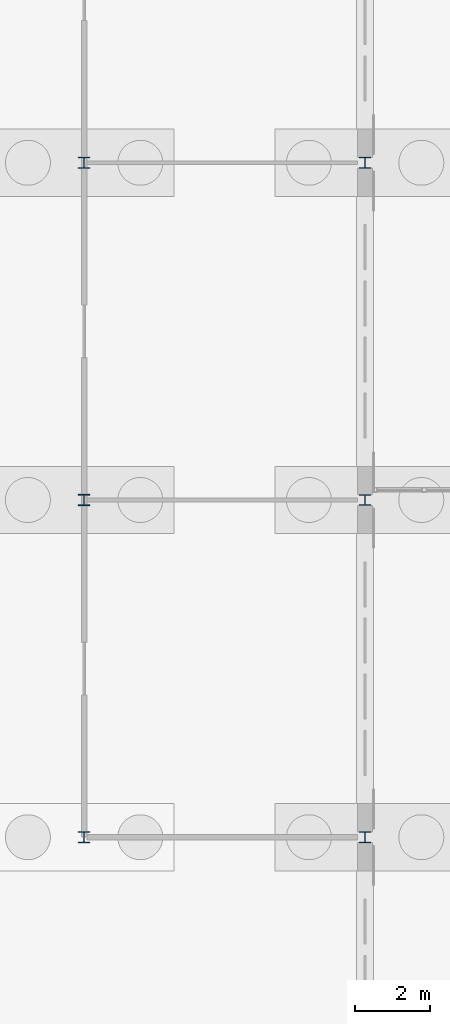
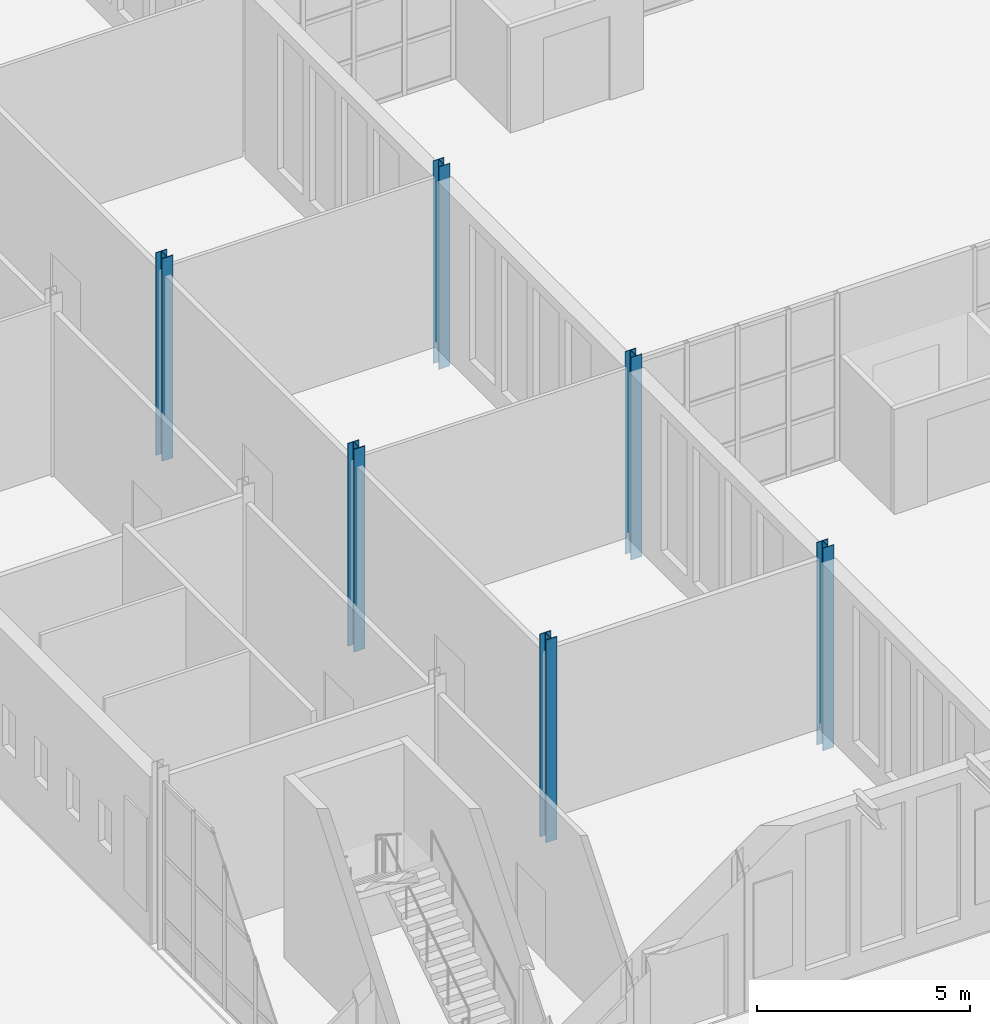
# One storey, part 16 of 168: 6 columns.
"""IFC4 building model written with IfcOpenShell, lengths in metres."""

from ifc_helpers import new_model, si_unit, direction, frame, origin, origin_2d, place, context, subcontext, project, spatial, i_section, extrude, material, material_profile, profile_set, type_object, element, save


model = new_model("IFC4")

# Units and contexts
model_context = context("Model", 3, precision=1e-05, world=origin(), true_north=direction((0.0, 1.0)))
body_context = subcontext(model_context, "Body", "Model", "MODEL_VIEW")
ifc_project = project(units=[si_unit("LENGTHUNIT", "METRE"), si_unit("AREAUNIT", "SQUARE_METRE"), si_unit("VOLUMEUNIT", "CUBIC_METRE"), si_unit("PLANEANGLEUNIT", "RADIAN"), si_unit("MASSUNIT", "GRAM", prefix="KILO")], contexts=[model_context])

# Site, building, storey
site_placement = place(None, origin())
site = spatial("IfcSite", under=ifc_project, at=site_placement, CompositionType="ELEMENT")
building_placement = place(site_placement, origin())
building = spatial("IfcBuilding", under=site, at=building_placement, Name="Golden Quay Civic Hall", CompositionType="ELEMENT")
storey_placement = place(building_placement, origin())
storey = spatial("IfcBuildingStorey", under=building, at=storey_placement, Name="L00", CompositionType="ELEMENT", Elevation=0.0)

# Columns
ifc_material_1 = material(Name="Steel S355", Category="steel")
ifc_material_profile_1 = material_profile(ifc_material_1, i_section(OverallWidth=0.300048828125, OverallDepth=0.2900390625, WebThickness=0.008544921875, FlangeThickness=0.013916015625, FilletRadius=0.027099609375, at=origin_2d()), Name="HEA 300")
ifc_profile_set_1 = profile_set([ifc_material_profile_1], Name="Steel S355")
column_type_1 = type_object("IfcColumnType", Name="Steel column HEA 300", PredefinedType="COLUMN", material=ifc_profile_set_1)
for number, where, z_axis, x_axis, name in (
    (1, (72.0, 9.0, -0.60009765625), (0.0, 0.0, 1.0), (1.0, 0.0, 0.0), "Column 72/9 L00"),
    (2, (72.0, 18.0, -0.60009765625), (0.0, 0.0, 1.0), (1.0, 0.0, 0.0), "Column 72/18 L00"),
    (3, (72.0, 27.0, -0.60009765625), (0.0, 0.0, 1.0), (1.0, 0.0, 0.0), "Column 72/27 L00"),
):
    element("IfcColumn", number, at=place(storey_placement, frame(where, z_axis=z_axis, x_axis=x_axis)), inside=storey, type_object=column_type_1, Name=name, PredefinedType="COLUMN", context=body_context, shape_type="SweptSolid", body=[
        extrude(i_section(OverallWidth=0.300048828125, OverallDepth=0.2900390625, WebThickness=0.008544921875, FlangeThickness=0.013916015625, FilletRadius=0.027099609375, at=origin_2d()), origin(), (0.0, 0.0, 1.0), 5.800048828125),
    ])
ifc_material_2 = material(Name="Steel S355", Category="steel")
ifc_material_profile_2 = material_profile(ifc_material_2, i_section(OverallWidth=0.300048828125, OverallDepth=0.300048828125, WebThickness=0.010986328125, FlangeThickness=0.01904296875, FilletRadius=0.027099609375, at=origin_2d()), Name="HEB 300")
ifc_profile_set_2 = profile_set([ifc_material_profile_2], Name="Steel S355")
column_type_2 = type_object("IfcColumnType", Name="Steel column HEB 300", PredefinedType="COLUMN", material=ifc_profile_set_2)
for number, where, z_axis, x_axis, name in (
    (4, (64.5, 9.0, -0.60009765625), (0.0, 0.0, 1.0), (1.0, 0.0, 0.0), "Column 64.5/9 L00"),
    (5, (64.5, 18.0, -0.60009765625), (0.0, 0.0, 1.0), (1.0, 0.0, 0.0), "Column 64.5/18 L00"),
    (6, (64.5, 27.0, -0.60009765625), (0.0, 0.0, 1.0), (1.0, 0.0, 0.0), "Column 64.5/27 L00"),
):
    element("IfcColumn", number, at=place(storey_placement, frame(where, z_axis=z_axis, x_axis=x_axis)), inside=storey, type_object=column_type_2, Name=name, PredefinedType="COLUMN", context=body_context, shape_type="SweptSolid", body=[
        extrude(i_section(OverallWidth=0.300048828125, OverallDepth=0.300048828125, WebThickness=0.010986328125, FlangeThickness=0.01904296875, FilletRadius=0.027099609375, at=origin_2d()), origin(), (0.0, 0.0, 1.0), 5.800048828125),
    ])

save(model, "model.ifc")
